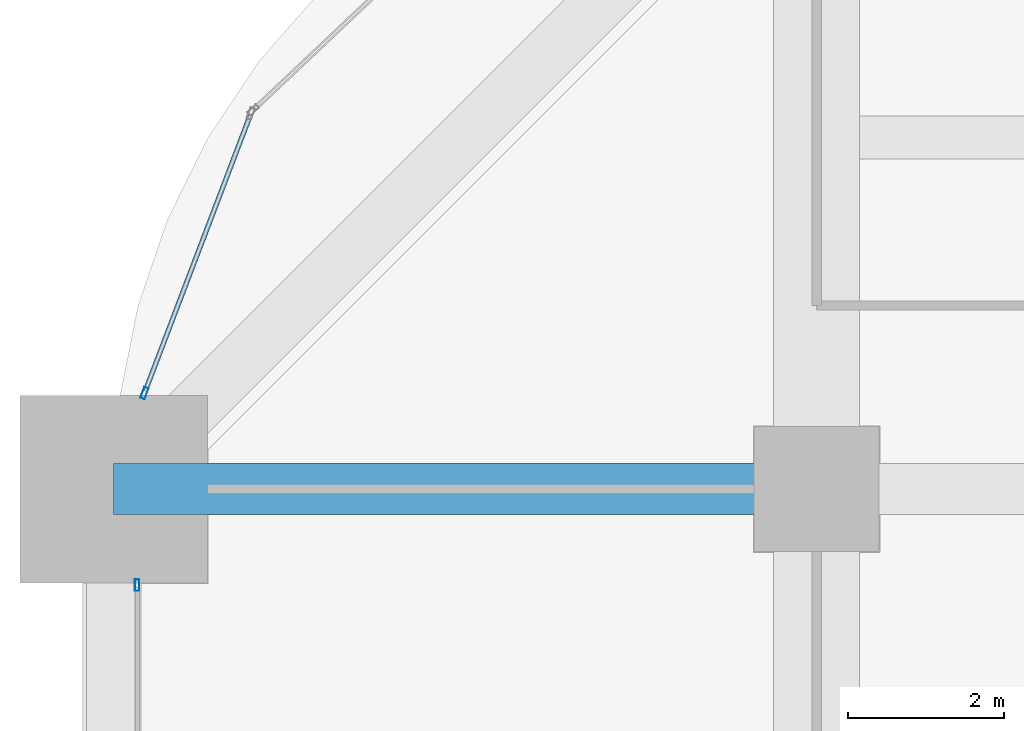
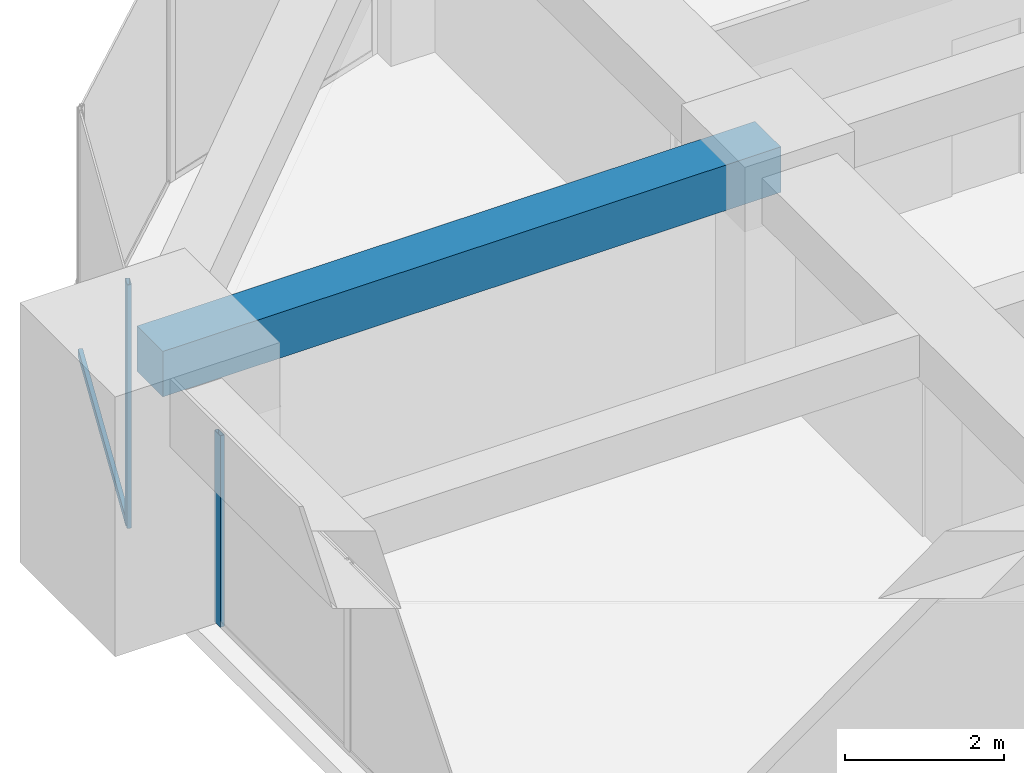
# One storey, part 20 of 32: 3 members, 1 beam, 2 elements without a shape of their own.
"""IFC4 building model written with IfcOpenShell, lengths in metres."""

from ifc_helpers import new_model, si_unit, direction, frame, origin, origin_2d, place, context, subcontext, project, spatial, rectangle, hollow_rectangle, extrude, material, material_profile, profile_set, type_object, element, aggregate, save


model = new_model("IFC4")

# Units and contexts
model_context = context("Model", 3, precision=1e-05, world=origin(), true_north=direction((0.0, 1.0)))
body_context = subcontext(model_context, "Body", "Model", "MODEL_VIEW")
ifc_project = project(units=[si_unit("LENGTHUNIT", "METRE"), si_unit("AREAUNIT", "SQUARE_METRE"), si_unit("VOLUMEUNIT", "CUBIC_METRE"), si_unit("PLANEANGLEUNIT", "RADIAN"), si_unit("MASSUNIT", "GRAM", prefix="KILO")], contexts=[model_context])

# Site, building, storey
site_placement = place(None, origin())
site = spatial("IfcSite", under=ifc_project, at=site_placement, CompositionType="ELEMENT")
building_placement = place(site_placement, origin())
building = spatial("IfcBuilding", under=site, at=building_placement, Name="Zorevar Civic Tower", CompositionType="ELEMENT")
storey_placement = place(building_placement, frame((0.0, 0.0, 190.199951171875)))
storey = spatial("IfcBuildingStorey", under=building, at=storey_placement, Name="L46", CompositionType="ELEMENT", Elevation=190.199951171875)

# Beam
ifc_material_1 = material(Name="Concrete C50/60", Category="concrete")
ifc_material_profile_1 = material_profile(ifc_material_1, rectangle(XDim=0.64990234375, YDim=0.699951171875, at=origin_2d()), Name="RC 650x700")
ifc_profile_set_1 = profile_set([ifc_material_profile_1], Name="Concrete C50/60")
beam_type = type_object("IfcBeamType", Name="Beam RC 650x700", PredefinedType="BEAM", material=ifc_profile_set_1)
beam_placement = place(storey_placement, frame((0.0, 36.0, 3.400146484375), z_axis=(1.0, 0.0, 0.0), x_axis=(0.0, 1.0, 0.0)))
element("IfcBeam", 1, at=beam_placement, inside=storey, type_object=beam_type, Name="Girder L47", PredefinedType="BEAM", context=body_context, shape_type="SweptSolid", body=[
    extrude(rectangle(XDim=0.64990234375, YDim=0.699951171875, at=origin_2d()), origin(), (0.0, 0.0, 1.0), 9.0),
])

# Curtain wall, member
ifc_material_2 = material(Name="Dark grey solar-control glass in black aluminium frame", Category="aluminium")
curtain_wall_type = type_object("IfcCurtainWallType", Name="Curtain wall CW4 high zone", PredefinedType="NOTDEFINED", material=ifc_material_2)
curtain_wall_1_placement = place(storey_placement, origin())
curtain_wall_1 = element("IfcCurtainWall", 2, at=curtain_wall_1_placement, inside=storey, type_object=curtain_wall_type, Name="CW4 L46", PredefinedType="NOTDEFINED")
ifc_material_3 = material(Name="Aluminium, black anodised", Category="aluminium")
ifc_material_profile_2 = material_profile(ifc_material_3, hollow_rectangle(XDim=0.06005859375, YDim=0.14990234375, WallThickness=0.00390625, at=origin_2d()), Name="AL 150x60x4")
ifc_profile_set_2 = profile_set([ifc_material_profile_2], Name="Aluminium, black anodised")
member_type_1 = type_object("IfcMemberType", Name="CW4 mullion AL 150x60x4", PredefinedType="MULLION", material=ifc_profile_set_2)
member_1_placement = place(storey_placement, frame((0.300048828125, 34.77001953125, 0.0), z_axis=(0.0, 0.0, 1.0), x_axis=(-1.0, 0.0, 0.0)))
member_1 = element("IfcMember", 3, at=member_1_placement, type_object=member_type_1, Name="CW4 mullion 3", PredefinedType="MULLION", context=body_context, shape_type="SweptSolid", body=[
    extrude(hollow_rectangle(XDim=0.06005859375, YDim=0.14990234375, WallThickness=0.00390625, at=origin_2d()), origin(), (0.0, 0.0, 1.0), 2.949951171875),
])
aggregate(curtain_wall_1, [member_1])

# Curtain wall, members
curtain_wall_2_placement = place(storey_placement, origin())
curtain_wall_2 = element("IfcCurtainWall", 4, at=curtain_wall_2_placement, inside=storey, type_object=curtain_wall_type, Name="CW4 L46", PredefinedType="NOTDEFINED")
member_2_placement = place(storey_placement, frame((0.393798828125, 37.22802734375, 0.0), z_axis=(0.0, 0.0, 1.0), x_axis=(0.93458842801, -0.355730895803, 0.0)))
member_2 = element("IfcMember", 5, at=member_2_placement, type_object=member_type_1, Name="CW4 mullion 2", PredefinedType="MULLION", context=body_context, shape_type="SweptSolid", body=[
    extrude(hollow_rectangle(XDim=0.06005859375, YDim=0.14990234375, WallThickness=0.00390625, at=origin_2d()), origin(), (0.0, 0.0, 1.0), 3.75),
])
ifc_material_4 = material(Name="Aluminium, black anodised", Category="aluminium")
ifc_material_profile_3 = material_profile(ifc_material_4, hollow_rectangle(XDim=0.06005859375, YDim=0.1201171875, WallThickness=0.0029296875, at=origin_2d()), Name="AL 120x60x3")
ifc_profile_set_3 = profile_set([ifc_material_profile_3], Name="Aluminium, black anodised")
member_type_2 = type_object("IfcMemberType", Name="CW4 transom AL 120x60x3", PredefinedType="USERDEFINED", material=ifc_profile_set_3)
member_3_placement = place(storey_placement, frame((1.74462890625, 40.77685546875, 0.030029296875), z_axis=(-0.355728511406, -0.934589335576, 0.0), x_axis=(0.934589335576, -0.355728511406, 0.0)))
member_3 = element("IfcMember", 6, at=member_3_placement, type_object=member_type_2, Name="CW4 sill transom", ObjectType="TRANSOM", PredefinedType="USERDEFINED", context=body_context, shape_type="SweptSolid", body=[
    extrude(hollow_rectangle(XDim=0.06005859375, YDim=0.1201171875, WallThickness=0.0029296875, at=origin_2d()), origin(), (0.0, 0.0, 1.0), 3.76708984375),
])
aggregate(curtain_wall_2, [member_2, member_3])

save(model, "model.ifc")
